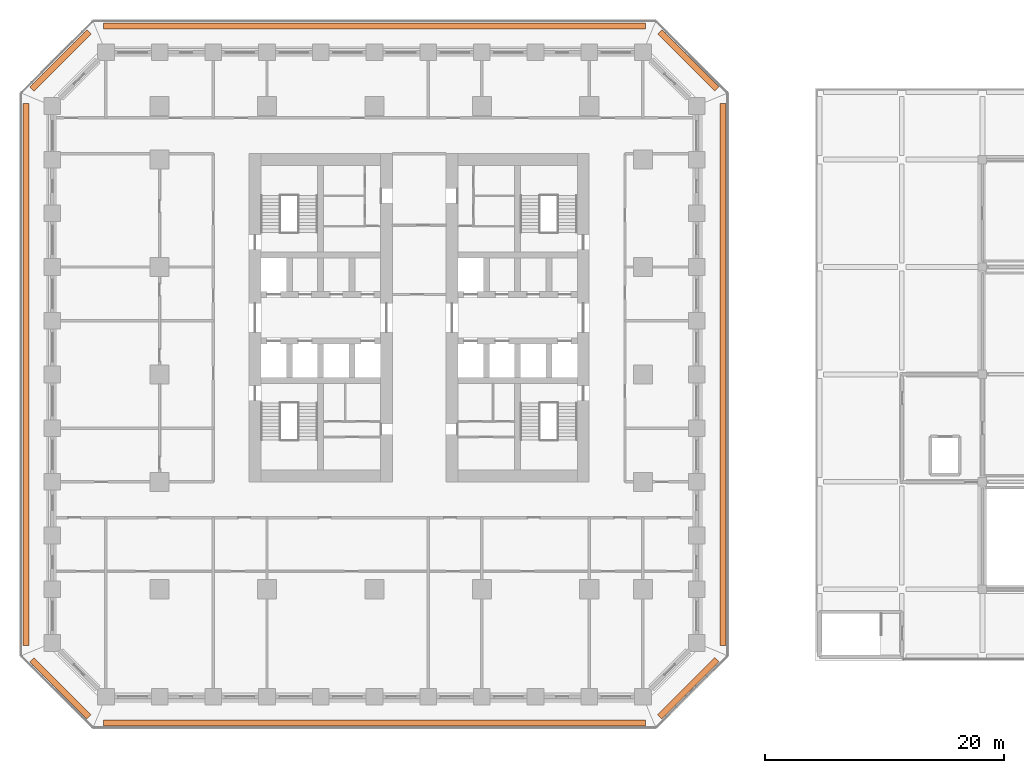
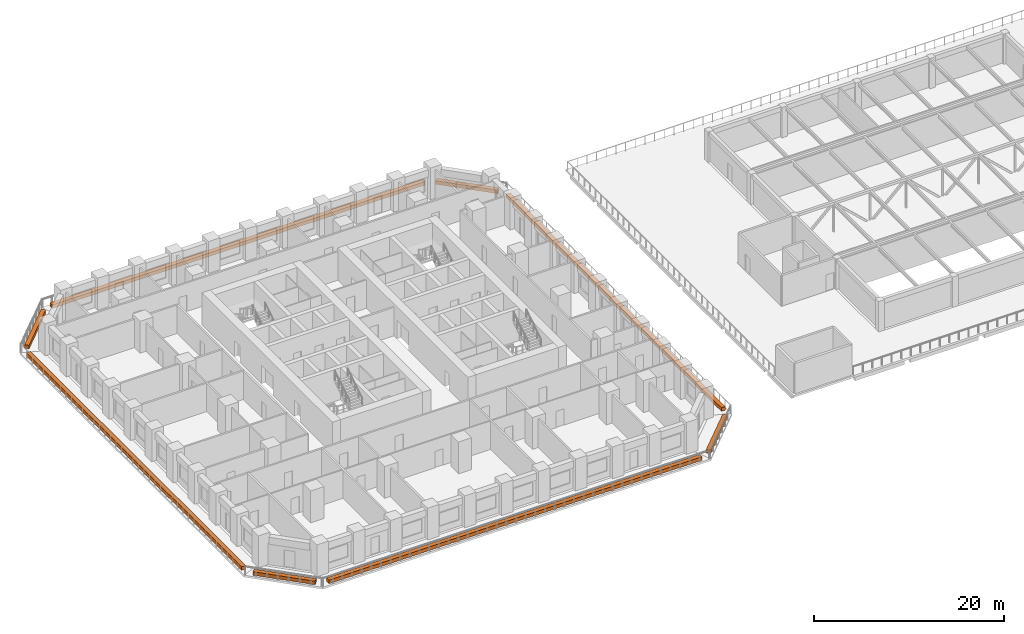
# One storey, part 30 of 30: 8 proxies.
"""IFC4 building model written with IfcOpenShell, lengths in metres."""

from ifc_helpers import new_model, si_unit, direction, frame, origin, origin_2d, place, context, subcontext, project, spatial, rectangle, extrude, material, type_object, element, save


model = new_model("IFC4")

# Units and contexts
model_context = context("Model", 3, precision=1e-05, world=origin(), true_north=direction((0.0, 1.0)))
body_context = subcontext(model_context, "Body", "Model", "MODEL_VIEW")
ifc_project = project(units=[si_unit("LENGTHUNIT", "METRE"), si_unit("AREAUNIT", "SQUARE_METRE"), si_unit("VOLUMEUNIT", "CUBIC_METRE"), si_unit("PLANEANGLEUNIT", "RADIAN"), si_unit("MASSUNIT", "GRAM", prefix="KILO")], contexts=[model_context])

# Site, building, storey
site_placement = place(None, origin())
site = spatial("IfcSite", under=ifc_project, at=site_placement, CompositionType="ELEMENT")
building_placement = place(site_placement, origin())
building = spatial("IfcBuilding", under=site, at=building_placement, Name="Corbel Stack Research Tower", CompositionType="ELEMENT")
storey_placement = place(building_placement, frame((0.0, 0.0, 19.5)))
storey = spatial("IfcBuildingStorey", under=building, at=storey_placement, Name="L04", CompositionType="ELEMENT", Elevation=19.5)

# Proxies
ifc_material = material(Name="Concrete C45/55", Category="concrete")
building_element_proxy_type = type_object("IfcBuildingElementProxyType", Name="Planter box", PredefinedType="USERDEFINED", material=ifc_material)
proxy_1_placement = place(storey_placement, frame((0.0, -29.199951171875, 0.0), z_axis=(0.0, 0.0, 1.0), x_axis=(1.0, 0.0, 0.0)))
element("IfcBuildingElementProxy", 1, at=proxy_1_placement, inside=storey, type_object=building_element_proxy_type, Name="Planter L04 S", ObjectType="PLANTER", PredefinedType="USERDEFINED", context=body_context, shape_type="SweptSolid", body=[
    extrude(rectangle(XDim=45.41064453125, YDim=0.5, at=origin_2d()), origin(), (0.0, 0.0, 1.0), 0.449951171875),
])
proxy_2_placement = place(storey_placement, frame((26.3056640625, -26.3056640625, 0.0), z_axis=(0.0, 0.0, 1.0), x_axis=(0.707106781187, 0.707106781187, 0.0)))
element("IfcBuildingElementProxy", 2, at=proxy_2_placement, inside=storey, type_object=building_element_proxy_type, Name="Planter L04 SE", ObjectType="PLANTER", PredefinedType="USERDEFINED", context=body_context, shape_type="SweptSolid", body=[
    extrude(rectangle(XDim=6.774658203125, YDim=0.5, at=origin_2d()), origin(), (0.0, 0.0, 1.0), 0.449951171875),
])
proxy_3_placement = place(storey_placement, frame((29.199951171875, 0.0, 0.0), z_axis=(0.0, 0.0, 1.0), x_axis=(0.0, 1.0, 0.0)))
element("IfcBuildingElementProxy", 3, at=proxy_3_placement, inside=storey, type_object=building_element_proxy_type, Name="Planter L04 E", ObjectType="PLANTER", PredefinedType="USERDEFINED", context=body_context, shape_type="SweptSolid", body=[
    extrude(rectangle(XDim=45.41064453125, YDim=0.5, at=origin_2d()), origin(), (0.0, 0.0, 1.0), 0.449951171875),
])
proxy_4_placement = place(storey_placement, frame((26.3056640625, 26.3056640625, 0.0), z_axis=(0.0, 0.0, 1.0), x_axis=(-0.707106781187, 0.707106781187, 0.0)))
element("IfcBuildingElementProxy", 4, at=proxy_4_placement, inside=storey, type_object=building_element_proxy_type, Name="Planter L04 NE", ObjectType="PLANTER", PredefinedType="USERDEFINED", context=body_context, shape_type="SweptSolid", body=[
    extrude(rectangle(XDim=6.774658203125, YDim=0.5, at=origin_2d()), origin(), (0.0, 0.0, 1.0), 0.449951171875),
])
proxy_5_placement = place(storey_placement, frame((0.0, 29.199951171875, 0.0), z_axis=(0.0, 0.0, 1.0), x_axis=(-1.0, 0.0, 0.0)))
element("IfcBuildingElementProxy", 5, at=proxy_5_placement, inside=storey, type_object=building_element_proxy_type, Name="Planter L04 N", ObjectType="PLANTER", PredefinedType="USERDEFINED", context=body_context, shape_type="SweptSolid", body=[
    extrude(rectangle(XDim=45.41064453125, YDim=0.5, at=origin_2d()), origin(), (0.0, 0.0, 1.0), 0.449951171875),
])
proxy_6_placement = place(storey_placement, frame((-26.3056640625, 26.3056640625, 0.0), z_axis=(0.0, 0.0, 1.0), x_axis=(-0.707106781187, -0.707106781187, 0.0)))
element("IfcBuildingElementProxy", 6, at=proxy_6_placement, inside=storey, type_object=building_element_proxy_type, Name="Planter L04 NW", ObjectType="PLANTER", PredefinedType="USERDEFINED", context=body_context, shape_type="SweptSolid", body=[
    extrude(rectangle(XDim=6.774658203125, YDim=0.5, at=origin_2d()), origin(), (0.0, 0.0, 1.0), 0.449951171875),
])
proxy_7_placement = place(storey_placement, frame((-29.199951171875, 0.0, 0.0), z_axis=(0.0, 0.0, 1.0), x_axis=(0.0, -1.0, 0.0)))
element("IfcBuildingElementProxy", 7, at=proxy_7_placement, inside=storey, type_object=building_element_proxy_type, Name="Planter L04 W", ObjectType="PLANTER", PredefinedType="USERDEFINED", context=body_context, shape_type="SweptSolid", body=[
    extrude(rectangle(XDim=45.41064453125, YDim=0.5, at=origin_2d()), origin(), (0.0, 0.0, 1.0), 0.449951171875),
])
proxy_8_placement = place(storey_placement, frame((-26.3056640625, -26.3056640625, 0.0), z_axis=(0.0, 0.0, 1.0), x_axis=(0.707106781187, -0.707106781187, 0.0)))
element("IfcBuildingElementProxy", 8, at=proxy_8_placement, inside=storey, type_object=building_element_proxy_type, Name="Planter L04 SW", ObjectType="PLANTER", PredefinedType="USERDEFINED", context=body_context, shape_type="SweptSolid", body=[
    extrude(rectangle(XDim=6.774658203125, YDim=0.5, at=origin_2d()), origin(), (0.0, 0.0, 1.0), 0.449951171875),
])

save(model, "model.ifc")
